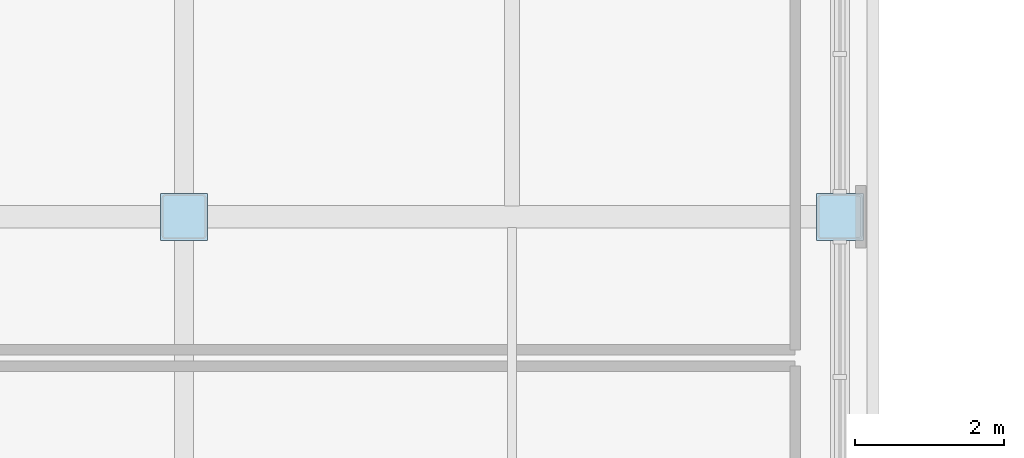
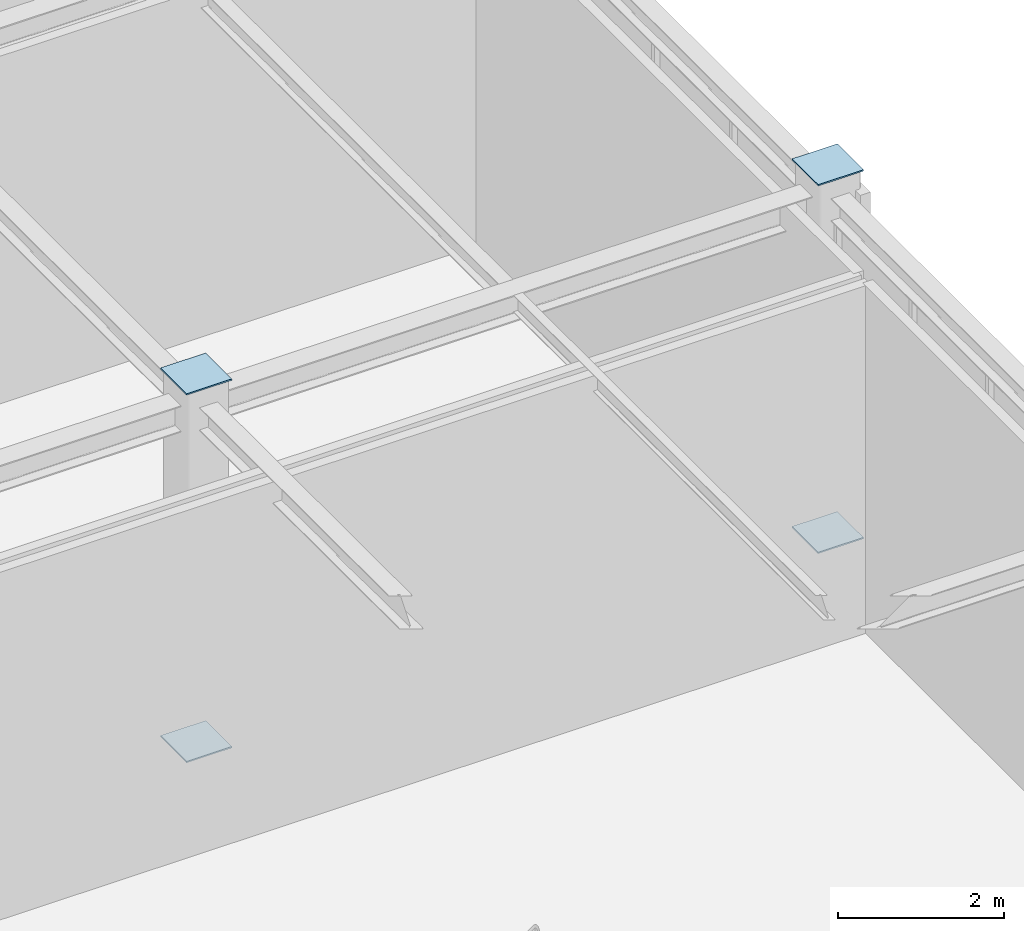
# One storey, part 80 of 108: 4 plates.
"""IFC4 building model written with IfcOpenShell, lengths in metres."""

from ifc_helpers import new_model, si_unit, direction, frame, origin, origin_2d, place, context, subcontext, project, spatial, rectangle, extrude, material, layer, layer_set, type_object, element, save


model = new_model("IFC4")

# Units and contexts
model_context = context("Model", 3, precision=1e-05, world=origin(), true_north=direction((0.0, 1.0)))
body_context = subcontext(model_context, "Body", "Model", "MODEL_VIEW")
ifc_project = project(units=[si_unit("LENGTHUNIT", "METRE"), si_unit("AREAUNIT", "SQUARE_METRE"), si_unit("VOLUMEUNIT", "CUBIC_METRE"), si_unit("PLANEANGLEUNIT", "RADIAN"), si_unit("MASSUNIT", "GRAM", prefix="KILO")], contexts=[model_context])

# Site, building, storey
site_placement = place(None, origin())
site = spatial("IfcSite", under=ifc_project, at=site_placement, CompositionType="ELEMENT")
building_placement = place(site_placement, origin())
building = spatial("IfcBuilding", under=site, at=building_placement, Name="Zhaolan Boulevard Law Courts", CompositionType="ELEMENT")
storey_placement = place(building_placement, frame((0.0, 0.0, 10.800048828125)))
storey = spatial("IfcBuildingStorey", under=building, at=storey_placement, Name="L02", CompositionType="ELEMENT", Elevation=10.800048828125)

# Plates
ifc_material = material(Name="Structural steel Q355B", Category="steel")
ifc_layer = layer(ifc_material, 0.02001953125)
ifc_layer_set = layer_set([ifc_layer])
plate_type = type_object("IfcPlateType", Name="END CAP PLATE 20", PredefinedType="SHEET", material=ifc_layer_set)
for number, where, z_axis, x_axis, name in (
    (1, (35.199951171875, 70.0, -0.01806640625), (0.0, 0.0, 1.0), (1.0, 0.0, 0.0), "Hollow Section End-Cap Plate ECP-0471"),
    (2, (35.199951171875, 70.0, 5.39794921875), (0.0, 0.0, 1.0), (1.0, 0.0, 0.0), "Hollow Section End-Cap Plate ECP-0472"),
    (3, (44.0, 70.0, -0.01806640625), (0.0, 0.0, 1.0), (1.0, 0.0, 0.0), "Hollow Section End-Cap Plate ECP-0583"),
    (4, (44.0, 70.0, 5.39794921875), (0.0, 0.0, 1.0), (1.0, 0.0, 0.0), "Hollow Section End-Cap Plate ECP-0584"),
):
    element("IfcPlate", number, at=place(storey_placement, frame(where, z_axis=z_axis, x_axis=x_axis)), inside=storey, type_object=plate_type, Name=name, PredefinedType="SHEET", context=body_context, shape_type="SweptSolid", body=[
        extrude(rectangle(XDim=0.6298828125, YDim=0.6298828125, at=origin_2d()), origin(), (0.0, 0.0, 1.0), 0.02001953125),
    ])

save(model, "model.ifc")
